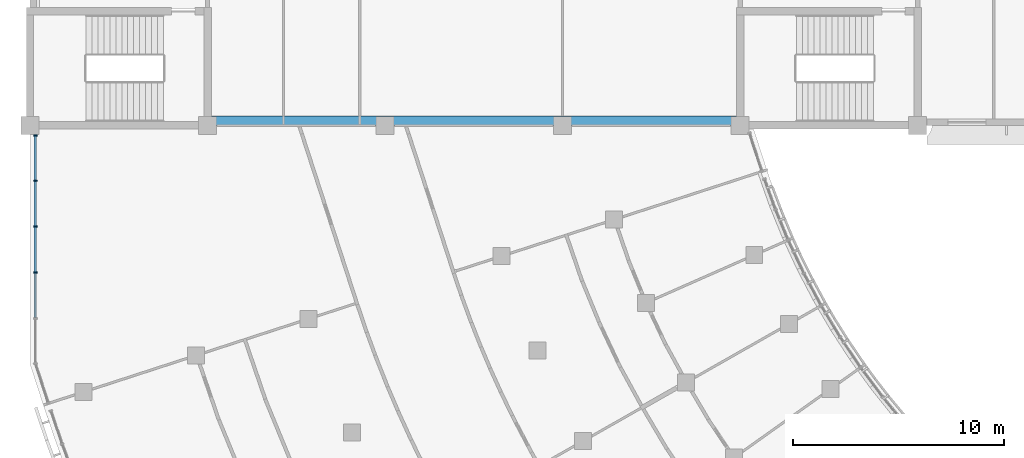
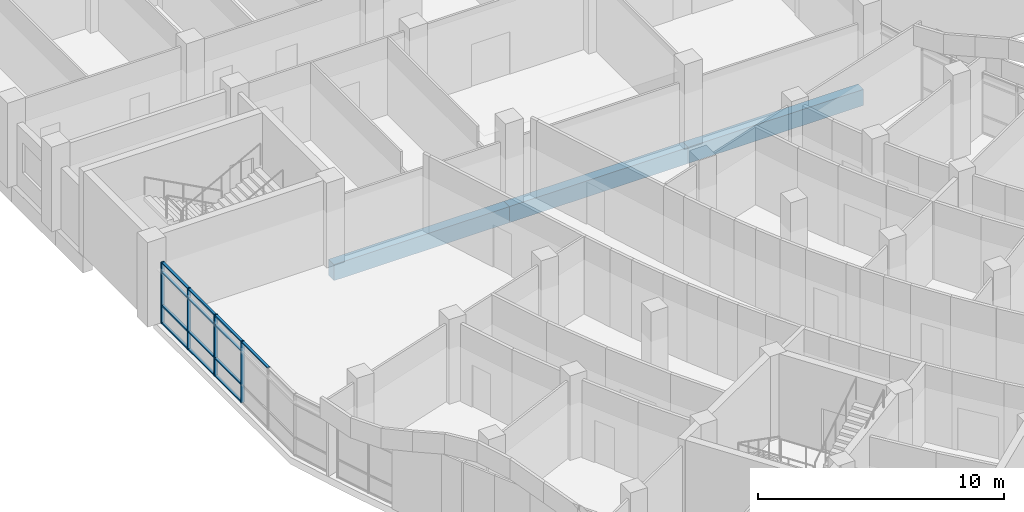
# One storey, part 20 of 109: 17 members, 3 beams, 1 element without a shape of its own.
"""IFC4 building model written with IfcOpenShell, lengths in metres."""

import ifcopenshell
import ifcopenshell.guid

model = None  # the IFC model being written
_history = None  # IfcOwnerHistory: only IFC2X3 demands one
_inside = {}  # id of a spatial element -> (the spatial element, [elements in it])
_under = {}  # id of a project, library or spatial element -> (it, [spatial elements below it])
_declared = {}  # id of a project -> (the project, [libraries it declares])
_typed = {}  # id of a type object -> (the type object, [elements of that type])
_made_of = {}  # id of a material, layer set ... -> (it, [elements and type objects made of it])


def new_model(schema):
    """Start an empty IFC model of exactly this schema.

    Asked for "IFC4X3", IfcOpenShell would pick the latest addendum, in which some entities
    have other attributes; the version numbers below select the first issue.
    IFC2X3 requires an IfcOwnerHistory on every rooted entity: one is made here for all.
    """
    global model, _history
    if schema == "IFC4X3":
        model = ifcopenshell.file(schema_version=(4, 3, 0, 0))
    else:
        model = ifcopenshell.file(schema=schema)
    _inside.clear()
    _under.clear()
    _declared.clear()
    _typed.clear()
    _made_of.clear()
    _history = None
    if model.schema == "IFC2X3":
        org = make("IfcOrganization", Name="unknown")
        user = make(
            "IfcPersonAndOrganization",
            ThePerson=make("IfcPerson", FamilyName="unknown"),
            TheOrganization=org,
        )
        app = make(
            "IfcApplication",
            ApplicationDeveloper=org,
            Version="unknown",
            ApplicationFullName="unknown",
            ApplicationIdentifier="unknown",
        )
        _history = make(
            "IfcOwnerHistory",
            OwningUser=user,
            OwningApplication=app,
            ChangeAction="ADDED",
            CreationDate=0,
        )
    return model


def make(cls, **values):
    """One entity of the class cls with the attributes given. An attribute that is None is left unset."""
    return model.create_entity(
        cls, **{name: value for name, value in values.items() if value is not None}
    )


def rooted(cls, **values):
    """An entity with a GlobalId (a new one), such as an element, a storey or a relation."""
    return make(cls, GlobalId=ifcopenshell.guid.new(), OwnerHistory=_history, **values)


def si_unit(unit_type, name, prefix=None):
    """IfcSIUnit, for example si_unit("LENGTHUNIT", "METRE", prefix="MILLI")."""
    return make("IfcSIUnit", UnitType=unit_type, Prefix=prefix, Name=name)


def assignment(units):
    """IfcUnitAssignment: the units of a project."""
    return None if units is None else make("IfcUnitAssignment", Units=units)


def point(xyz):
    """IfcCartesianPoint."""
    return None if xyz is None else make("IfcCartesianPoint", Coordinates=xyz)


def direction(xyz):
    """IfcDirection."""
    return None if xyz is None else make("IfcDirection", DirectionRatios=xyz)


def frame(location, z_axis=None, x_axis=None):
    """IfcAxis2Placement3D, a coordinate frame: its origin and axes. An axis left out is left unset."""
    return make(
        "IfcAxis2Placement3D",
        Location=point(location),
        Axis=direction(z_axis),
        RefDirection=direction(x_axis),
    )


def frame_2d(location, x_axis=None):
    """IfcAxis2Placement2D, a coordinate frame in the plane: its origin and x axis."""
    return make(
        "IfcAxis2Placement2D", Location=point(location), RefDirection=direction(x_axis)
    )


def origin():
    """The frame at (0, 0, 0) with its axes left unset."""
    return frame((0.0, 0.0, 0.0))


def origin_2d():
    """The frame at (0, 0) in the plane with its x axis left unset."""
    return frame_2d((0.0, 0.0))


def place(relative_to, where):
    """IfcLocalPlacement: puts the frame where relative to a parent placement (None: the world)."""
    return make(
        "IfcLocalPlacement", PlacementRelTo=relative_to, RelativePlacement=where
    )


def context(
    kind, dimensions, precision=None, world=None, true_north=None, identifier=None
):
    """IfcGeometricRepresentationContext, for example the 3D "Model" context."""
    return make(
        "IfcGeometricRepresentationContext",
        ContextIdentifier=identifier,
        ContextType=kind,
        CoordinateSpaceDimension=dimensions,
        Precision=precision,
        WorldCoordinateSystem=world,
        TrueNorth=true_north,
    )


def subcontext(parent, identifier, kind, view, scale=None):
    """IfcGeometricRepresentationSubContext, for example "Body" below "Model"."""
    return make(
        "IfcGeometricRepresentationSubContext",
        ContextIdentifier=identifier,
        ContextType=kind,
        ParentContext=parent,
        TargetScale=scale,
        TargetView=view,
    )


def project(units=None, contexts=None):
    """IfcProject with its units and contexts."""
    return rooted(
        "IfcProject",
        Name="project",
        RepresentationContexts=contexts,
        UnitsInContext=assignment(units),
    )


def spatial(cls, under=None, at=None, **own):
    """A site, building, storey or space (cls), placed at a placement, below another one or the project."""
    s = rooted(cls, ObjectPlacement=at, **own)
    if under is not None:
        _under.setdefault(under.id(), (under, []))[1].append(s)
    return s


def profile(cls, at=None, kind="AREA", **sizes):
    """A parametric profile (cls). Its sizes go by their IFC names, for example OverallWidth=200.0."""
    return make(cls, ProfileType=kind, Position=at, **sizes)


def rectangle(**sizes):
    """IfcRectangleProfileDef."""
    return profile("IfcRectangleProfileDef", **sizes)


def extrude(swept, where, along, depth):
    """IfcExtrudedAreaSolid: the profile swept, set in the frame where, extruded along a direction by depth."""
    return make(
        "IfcExtrudedAreaSolid",
        SweptArea=swept,
        Position=where,
        ExtrudedDirection=direction(along),
        Depth=depth,
    )


def shape(context_of_items, identifier, shape_type, items):
    """IfcShapeRepresentation: the items that make up one representation, for example the "Body"."""
    return make(
        "IfcShapeRepresentation",
        ContextOfItems=context_of_items,
        RepresentationIdentifier=identifier,
        RepresentationType=shape_type,
        Items=items,
    )


def material(Name=None, Category=None):
    """IfcMaterial."""
    return make("IfcMaterial", Name=Name, Category=Category)


def material_profile(
    of_material, cross_section, Name=None, Category=None, Priority=None
):
    """IfcMaterialProfile: a cross section and its material."""
    return make(
        "IfcMaterialProfile",
        Name=Name,
        Material=of_material,
        Profile=cross_section,
        Priority=Priority,
        Category=Category,
    )


def profile_set(profiles, Name=None, composite=None):
    """IfcMaterialProfileSet."""
    return make(
        "IfcMaterialProfileSet",
        Name=Name,
        MaterialProfiles=profiles,
        CompositeProfile=composite,
    )


def made_of(thing, what):
    """Note that an element or type object is made of a material, layer set ...; save() writes the relation."""
    if what is not None:
        _made_of.setdefault(what.id(), (what, []))[1].append(thing)
    return thing


def type_object(cls, material=None, **own):
    """A type object (cls), such as IfcWallType, which elements share."""
    return made_of(rooted(cls, **own), material)


def element(
    cls,
    number,
    at=None,
    inside=None,
    cuts=None,
    type_object=None,
    material=None,
    context=None,
    identifier="Body",
    shape_type=None,
    held_by="IfcProductDefinitionShape",
    body=None,
    shapes=None,
    **own,
):
    """One element of the class cls, such as IfcWall. Its Tag is "e" and its number.

    at: its placement. inside: the storey or other place that contains it. cuts: it is an
    opening in that element (IfcRelVoidsElement). A single representation is given by context,
    identifier, shape_type and body (its items); several are given by shapes. held_by: the class
    of the entity that holds the representations. save() writes the other relations.
    """
    e = rooted(cls, Tag="e%d" % number, ObjectPlacement=at, **own)
    if body is not None:
        shapes = [shape(context, identifier, shape_type, body)]
    if shapes is not None:
        e.Representation = make(held_by, Representations=shapes)
    if inside is not None:
        _inside.setdefault(inside.id(), (inside, []))[1].append(e)
    if cuts is not None:
        rooted(
            "IfcRelVoidsElement", RelatingBuildingElement=cuts, RelatedOpeningElement=e
        )
    if type_object is not None:
        _typed.setdefault(type_object.id(), (type_object, []))[1].append(e)
    return made_of(e, material)


def aggregate(whole, parts):
    """IfcRelAggregates: a whole, such as a stair, and the parts it consists of."""
    return rooted("IfcRelAggregates", RelatingObject=whole, RelatedObjects=parts)


def save(model, path):
    """Write the relations noted so far, then the file.

    IfcRelAggregates (storeys below a building ...), IfcRelContainedInSpatialStructure (elements
    in a storey), IfcRelDefinesByType, IfcRelAssociatesMaterial and IfcRelDeclares: one each for
    every whole, place, type object, material and project.
    """
    for whole, parts in _under.values():
        aggregate(whole, parts)
    for where, things in _inside.values():
        rooted(
            "IfcRelContainedInSpatialStructure",
            RelatedElements=things,
            RelatingStructure=where,
        )
    for kind, things in _typed.values():
        rooted("IfcRelDefinesByType", RelatedObjects=things, RelatingType=kind)
    for what, things in _made_of.values():
        rooted("IfcRelAssociatesMaterial", RelatedObjects=things, RelatingMaterial=what)
    for by, libraries in _declared.values():
        rooted("IfcRelDeclares", RelatingContext=by, RelatedDefinitions=libraries)
    model.write(path)


model = new_model("IFC4")

# Units and contexts
model_context = context("Model", 3, precision=1e-05, world=origin(), true_north=direction((0.0, 1.0)))
body_context = subcontext(model_context, "Body", "Model", "MODEL_VIEW")
ifc_project = project(units=[si_unit("LENGTHUNIT", "METRE"), si_unit("AREAUNIT", "SQUARE_METRE"), si_unit("VOLUMEUNIT", "CUBIC_METRE"), si_unit("PLANEANGLEUNIT", "RADIAN"), si_unit("MASSUNIT", "GRAM", prefix="KILO")], contexts=[model_context])

# Site, building, storey
site_placement = place(None, origin())
site = spatial("IfcSite", under=ifc_project, at=site_placement, CompositionType="ELEMENT")
building_placement = place(site_placement, origin())
building = spatial("IfcBuilding", under=site, at=building_placement, Name="Bougainvillea Quay General Hospital", CompositionType="ELEMENT")
storey_placement = place(building_placement, frame((0.0, 0.0, 12.60009765625)))
storey = spatial("IfcBuildingStorey", under=building, at=storey_placement, Name="L02", CompositionType="ELEMENT", Elevation=12.60009765625)

# Curtain wall, members
ifc_material_1 = material(Name="Aluminium curtain wall system, powder-coated glazed", Category="aluminium")
curtain_wall_type = type_object("IfcCurtainWallType", Name="Unitised curtain wall CW-2172", PredefinedType="NOTDEFINED", material=ifc_material_1)
curtain_wall_placement = place(storey_placement, origin())
curtain_wall = element("IfcCurtainWall", 1, at=curtain_wall_placement, inside=storey, type_object=curtain_wall_type, Name="CW-AE 00", PredefinedType="NOTDEFINED")
ifc_material_2 = material(Name="Aluminium mullion, powder-coated charcoal", Category="aluminium")
ifc_material_profile_1 = material_profile(ifc_material_2, rectangle(XDim=0.159912109375, YDim=0.06005859375, at=origin_2d()))
ifc_profile_set_1 = profile_set([ifc_material_profile_1], Name="Aluminium mullion, powder-coated charcoal")
member_type_1 = type_object("IfcMemberType", Name="Curtain wall mullion 160x60", PredefinedType="MULLION", material=ifc_profile_set_1)
member_1_placement = place(storey_placement, frame((42.25, 117.125, 0.0), z_axis=(0.0, 0.0, 1.0), x_axis=(1.0, 0.0, 0.0)))
member_1 = element("IfcMember", 2, at=member_1_placement, type_object=member_type_1, Name="CW-AE mullion 1", PredefinedType="MULLION", context=body_context, shape_type="SweptSolid", body=[
    extrude(rectangle(XDim=0.159912109375, YDim=0.06005859375, at=origin_2d()), origin(), (0.0, 0.0, 1.0), 3.0498046875),
])
member_2_placement = place(storey_placement, frame((42.25, 114.983154296875, 0.0), z_axis=(0.0, 0.0, 1.0), x_axis=(1.0, 0.0, 0.0)))
member_2 = element("IfcMember", 3, at=member_2_placement, type_object=member_type_1, Name="CW-AE mullion 2", PredefinedType="MULLION", context=body_context, shape_type="SweptSolid", body=[
    extrude(rectangle(XDim=0.159912109375, YDim=0.06005859375, at=origin_2d()), origin(), (0.0, 0.0, 1.0), 3.0498046875),
])
member_3_placement = place(storey_placement, frame((42.25, 112.811279296875, 0.0), z_axis=(0.0, 0.0, 1.0), x_axis=(1.0, 0.0, 0.0)))
member_3 = element("IfcMember", 4, at=member_3_placement, type_object=member_type_1, Name="CW-AE mullion 3", PredefinedType="MULLION", context=body_context, shape_type="SweptSolid", body=[
    extrude(rectangle(XDim=0.159912109375, YDim=0.06005859375, at=origin_2d()), origin(), (0.0, 0.0, 1.0), 3.0498046875),
])
member_4_placement = place(storey_placement, frame((42.25, 110.6396484375, 0.0), z_axis=(0.0, 0.0, 1.0), x_axis=(1.0, 0.0, 0.0)))
member_4 = element("IfcMember", 5, at=member_4_placement, type_object=member_type_1, Name="CW-AE mullion 4", PredefinedType="MULLION", context=body_context, shape_type="SweptSolid", body=[
    extrude(rectangle(XDim=0.159912109375, YDim=0.06005859375, at=origin_2d()), origin(), (0.0, 0.0, 1.0), 3.0498046875),
])
ifc_material_3 = material(Name="Aluminium transom, powder-coated charcoal", Category="aluminium")
ifc_material_profile_2 = material_profile(ifc_material_3, rectangle(XDim=0.1201171875, YDim=0.06005859375, at=origin_2d()))
ifc_profile_set_2 = profile_set([ifc_material_profile_2], Name="Aluminium transom, powder-coated charcoal")
member_type_2 = type_object("IfcMemberType", Name="Curtain wall transom 120x60", PredefinedType="USERDEFINED", material=ifc_profile_set_2)
member_5_placement = place(storey_placement, frame((42.25, 117.094970703125, 0.02978515625), z_axis=(0.0, -1.0, 0.0), x_axis=(1.0, 0.0, 0.0)))
member_5 = element("IfcMember", 6, at=member_5_placement, type_object=member_type_2, Name="CW-AE transom 1.1", ObjectType="TRANSOM", PredefinedType="USERDEFINED", context=body_context, shape_type="SweptSolid", body=[
    extrude(rectangle(XDim=0.1201171875, YDim=0.06005859375, at=origin_2d()), origin(), (0.0, 0.0, 1.0), 2.081787109375),
])
member_6_placement = place(storey_placement, frame((42.25, 117.094970703125, 0.89990234375), z_axis=(0.0, -1.0, 0.0), x_axis=(1.0, 0.0, 0.0)))
member_6 = element("IfcMember", 7, at=member_6_placement, type_object=member_type_2, Name="CW-AE transom 1.2", ObjectType="TRANSOM", PredefinedType="USERDEFINED", context=body_context, shape_type="SweptSolid", body=[
    extrude(rectangle(XDim=0.1201171875, YDim=0.06005859375, at=origin_2d()), origin(), (0.0, 0.0, 1.0), 2.081787109375),
])
member_7_placement = place(storey_placement, frame((42.25, 117.094970703125, 2.5498046875), z_axis=(0.0, -1.0, 0.0), x_axis=(1.0, 0.0, 0.0)))
member_7 = element("IfcMember", 8, at=member_7_placement, type_object=member_type_2, Name="CW-AE transom 1.3", ObjectType="TRANSOM", PredefinedType="USERDEFINED", context=body_context, shape_type="SweptSolid", body=[
    extrude(rectangle(XDim=0.1201171875, YDim=0.06005859375, at=origin_2d()), origin(), (0.0, 0.0, 1.0), 2.081787109375),
])
member_8_placement = place(storey_placement, frame((42.25, 117.094970703125, 3.02001953125), z_axis=(0.0, -1.0, 0.0), x_axis=(1.0, 0.0, 0.0)))
member_8 = element("IfcMember", 9, at=member_8_placement, type_object=member_type_2, Name="CW-AE transom 1.4", ObjectType="TRANSOM", PredefinedType="USERDEFINED", context=body_context, shape_type="SweptSolid", body=[
    extrude(rectangle(XDim=0.1201171875, YDim=0.06005859375, at=origin_2d()), origin(), (0.0, 0.0, 1.0), 2.081787109375),
])
member_9_placement = place(storey_placement, frame((42.25, 114.953125, 0.02978515625), z_axis=(0.0, -1.0, 0.0), x_axis=(1.0, 0.0, 0.0)))
member_9 = element("IfcMember", 10, at=member_9_placement, type_object=member_type_2, Name="CW-AE transom 2.1", ObjectType="TRANSOM", PredefinedType="USERDEFINED", context=body_context, shape_type="SweptSolid", body=[
    extrude(rectangle(XDim=0.1201171875, YDim=0.06005859375, at=origin_2d()), origin(), (0.0, 0.0, 1.0), 2.11181640625),
])
member_10_placement = place(storey_placement, frame((42.25, 114.953125, 0.89990234375), z_axis=(0.0, -1.0, 0.0), x_axis=(1.0, 0.0, 0.0)))
member_10 = element("IfcMember", 11, at=member_10_placement, type_object=member_type_2, Name="CW-AE transom 2.2", ObjectType="TRANSOM", PredefinedType="USERDEFINED", context=body_context, shape_type="SweptSolid", body=[
    extrude(rectangle(XDim=0.1201171875, YDim=0.06005859375, at=origin_2d()), origin(), (0.0, 0.0, 1.0), 2.11181640625),
])
member_11_placement = place(storey_placement, frame((42.25, 114.953125, 2.5498046875), z_axis=(0.0, -1.0, 0.0), x_axis=(1.0, 0.0, 0.0)))
member_11 = element("IfcMember", 12, at=member_11_placement, type_object=member_type_2, Name="CW-AE transom 2.3", ObjectType="TRANSOM", PredefinedType="USERDEFINED", context=body_context, shape_type="SweptSolid", body=[
    extrude(rectangle(XDim=0.1201171875, YDim=0.06005859375, at=origin_2d()), origin(), (0.0, 0.0, 1.0), 2.11181640625),
])
member_12_placement = place(storey_placement, frame((42.25, 114.953125, 3.02001953125), z_axis=(0.0, -1.0, 0.0), x_axis=(1.0, 0.0, 0.0)))
member_12 = element("IfcMember", 13, at=member_12_placement, type_object=member_type_2, Name="CW-AE transom 2.4", ObjectType="TRANSOM", PredefinedType="USERDEFINED", context=body_context, shape_type="SweptSolid", body=[
    extrude(rectangle(XDim=0.1201171875, YDim=0.06005859375, at=origin_2d()), origin(), (0.0, 0.0, 1.0), 2.11181640625),
])
member_13_placement = place(storey_placement, frame((42.25, 112.781494140625, 0.02978515625), z_axis=(0.0, -1.0, 0.0), x_axis=(1.0, 0.0, 0.0)))
member_13 = element("IfcMember", 14, at=member_13_placement, type_object=member_type_2, Name="CW-AE transom 3.1", ObjectType="TRANSOM", PredefinedType="USERDEFINED", context=body_context, shape_type="SweptSolid", body=[
    extrude(rectangle(XDim=0.1201171875, YDim=0.06005859375, at=origin_2d()), origin(), (0.0, 0.0, 1.0), 2.11181640625),
])
member_14_placement = place(storey_placement, frame((42.25, 112.781494140625, 0.89990234375), z_axis=(0.0, -1.0, 0.0), x_axis=(1.0, 0.0, 0.0)))
member_14 = element("IfcMember", 15, at=member_14_placement, type_object=member_type_2, Name="CW-AE transom 3.2", ObjectType="TRANSOM", PredefinedType="USERDEFINED", context=body_context, shape_type="SweptSolid", body=[
    extrude(rectangle(XDim=0.1201171875, YDim=0.06005859375, at=origin_2d()), origin(), (0.0, 0.0, 1.0), 2.11181640625),
])
member_15_placement = place(storey_placement, frame((42.25, 112.781494140625, 2.5498046875), z_axis=(0.0, -1.0, 0.0), x_axis=(1.0, 0.0, 0.0)))
member_15 = element("IfcMember", 16, at=member_15_placement, type_object=member_type_2, Name="CW-AE transom 3.3", ObjectType="TRANSOM", PredefinedType="USERDEFINED", context=body_context, shape_type="SweptSolid", body=[
    extrude(rectangle(XDim=0.1201171875, YDim=0.06005859375, at=origin_2d()), origin(), (0.0, 0.0, 1.0), 2.11181640625),
])
member_16_placement = place(storey_placement, frame((42.25, 112.781494140625, 3.02001953125), z_axis=(0.0, -1.0, 0.0), x_axis=(1.0, 0.0, 0.0)))
member_16 = element("IfcMember", 17, at=member_16_placement, type_object=member_type_2, Name="CW-AE transom 3.4", ObjectType="TRANSOM", PredefinedType="USERDEFINED", context=body_context, shape_type="SweptSolid", body=[
    extrude(rectangle(XDim=0.1201171875, YDim=0.06005859375, at=origin_2d()), origin(), (0.0, 0.0, 1.0), 2.11181640625),
])
member_17_placement = place(storey_placement, frame((42.25, 110.609619140625, 3.02001953125), z_axis=(0.0, -1.0, 0.0), x_axis=(1.0, 0.0, 0.0)))
member_17 = element("IfcMember", 18, at=member_17_placement, type_object=member_type_2, Name="CW-AE transom 4.4", ObjectType="TRANSOM", PredefinedType="USERDEFINED", context=body_context, shape_type="SweptSolid", body=[
    extrude(rectangle(XDim=0.1201171875, YDim=0.06005859375, at=origin_2d()), origin(), (0.0, 0.0, 1.0), 2.11181640625),
])
aggregate(curtain_wall, [member_1, member_2, member_3, member_4, member_5, member_6, member_7, member_8, member_9, member_10, member_11, member_12, member_13, member_14, member_15, member_16, member_17])

# Beams
ifc_material_4 = material(Name="Concrete C40", Category="concrete")
ifc_material_profile_3 = material_profile(ifc_material_4, rectangle(XDim=0.449951171875, YDim=0.800048828125, at=origin_2d()))
ifc_profile_set_3 = profile_set([ifc_material_profile_3], Name="Concrete C40")
beam_type = type_object("IfcBeamType", Name="RC BEAM 450x800 C40", PredefinedType="BEAM", material=ifc_profile_set_3)
beam_1_placement = place(storey_placement, frame((50.574951171875, 117.824951171875, -0.7001953125), z_axis=(1.0, 0.0, 0.0), x_axis=(0.0, 1.0, 0.0)))
element("IfcBeam", 19, at=beam_1_placement, inside=storey, type_object=beam_type, Name="Edge beam L02", PredefinedType="BEAM", context=body_context, shape_type="SweptSolid", body=[
    extrude(rectangle(XDim=0.449951171875, YDim=0.800048828125, at=origin_2d()), origin(), (0.0, 0.0, 1.0), 8.22509765625),
])
beam_2_placement = place(storey_placement, frame((58.800048828125, 117.824951171875, -0.7001953125), z_axis=(1.0, 0.0, 0.0), x_axis=(0.0, 1.0, 0.0)))
element("IfcBeam", 20, at=beam_2_placement, inside=storey, type_object=beam_type, Name="Edge beam L02", PredefinedType="BEAM", context=body_context, shape_type="SweptSolid", body=[
    extrude(rectangle(XDim=0.449951171875, YDim=0.800048828125, at=origin_2d()), origin(), (0.0, 0.0, 1.0), 8.39990234375),
])
beam_3_placement = place(storey_placement, frame((67.199951171875, 117.824951171875, -0.7001953125), z_axis=(1.0, 0.0, 0.0), x_axis=(0.0, 1.0, 0.0)))
element("IfcBeam", 21, at=beam_3_placement, inside=storey, type_object=beam_type, Name="Edge beam L02", PredefinedType="BEAM", context=body_context, shape_type="SweptSolid", body=[
    extrude(rectangle(XDim=0.449951171875, YDim=0.800048828125, at=origin_2d()), origin(), (0.0, 0.0, 1.0), 8.22509765625),
])

save(model, "model.ifc")
